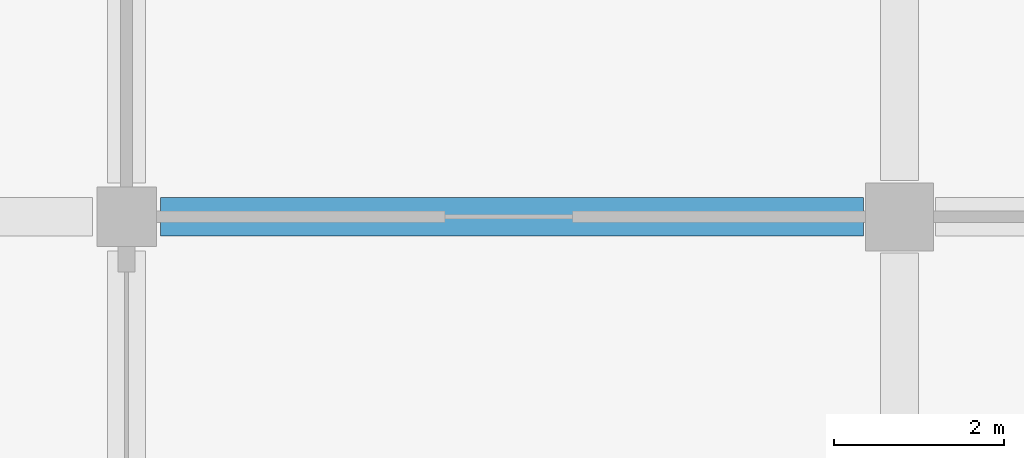
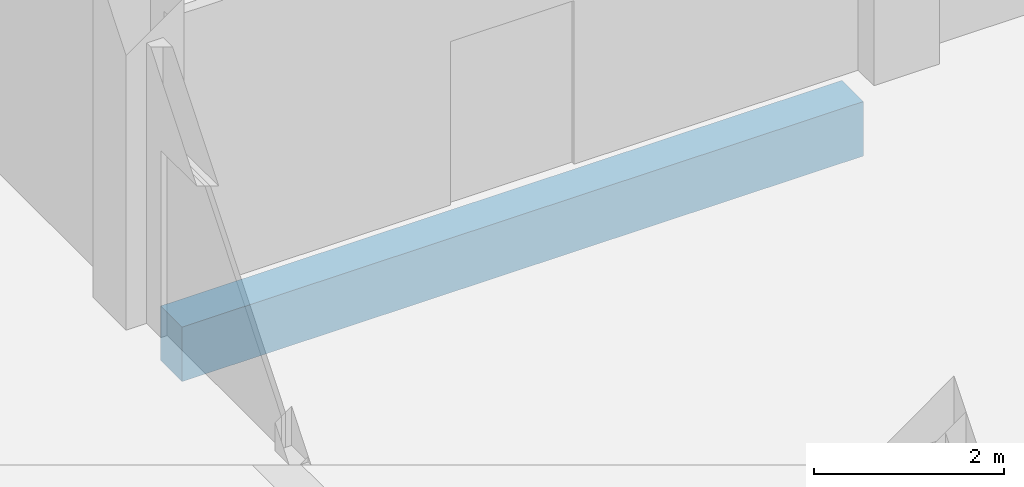
# One storey, part 15 of 139: 1 beam.
"""IFC4 building model written with IfcOpenShell, lengths in metres."""

from ifc_helpers import new_model, si_unit, direction, frame, origin, origin_2d, place, context, subcontext, project, spatial, rectangle, extrude, material, material_profile, profile_set, type_object, element, save


model = new_model("IFC4")

# Units and contexts
model_context = context("Model", 3, precision=1e-05, world=origin(), true_north=direction((0.0, 1.0)))
body_context = subcontext(model_context, "Body", "Model", "MODEL_VIEW")
ifc_project = project(units=[si_unit("LENGTHUNIT", "METRE"), si_unit("AREAUNIT", "SQUARE_METRE"), si_unit("VOLUMEUNIT", "CUBIC_METRE"), si_unit("PLANEANGLEUNIT", "RADIAN"), si_unit("MASSUNIT", "GRAM", prefix="KILO")], contexts=[model_context])

# Site, building, storey
site_placement = place(None, origin())
site = spatial("IfcSite", under=ifc_project, at=site_placement, CompositionType="ELEMENT")
building_placement = place(site_placement, origin())
building = spatial("IfcBuilding", under=site, at=building_placement, Name="Shirokan Park Arena", CompositionType="ELEMENT")
storey_placement = place(building_placement, frame((0.0, 0.0, 15.469970703125)))
storey = spatial("IfcBuildingStorey", under=building, at=storey_placement, Name="L03", CompositionType="ELEMENT", Elevation=15.469970703125)

# Beam
ifc_material = material(Name="Concrete C35", Category="concrete")
ifc_material_profile = material_profile(ifc_material, rectangle(XDim=0.449951171875, YDim=0.699951171875, at=origin_2d()), Name="450x700")
ifc_profile_set = profile_set([ifc_material_profile], Name="Concrete C35")
beam_type = type_object("IfcBeamType", Name="RC girder 450x700", PredefinedType="BEAM", material=ifc_profile_set)
beam_placement = place(storey_placement, frame((9.5, 36.39990234375, -0.64990234375), z_axis=(1.0, 0.0, 0.0), x_axis=(0.0, 1.0, 0.0)))
element("IfcBeam", 1, at=beam_placement, inside=storey, type_object=beam_type, Name="Girder 2E-3E L03", PredefinedType="BEAM", context=body_context, shape_type="SweptSolid", body=[
    extrude(rectangle(XDim=0.449951171875, YDim=0.699951171875, at=origin_2d()), origin(), (0.0, 0.0, 1.0), 8.27490234375),
])

save(model, "model.ifc")
